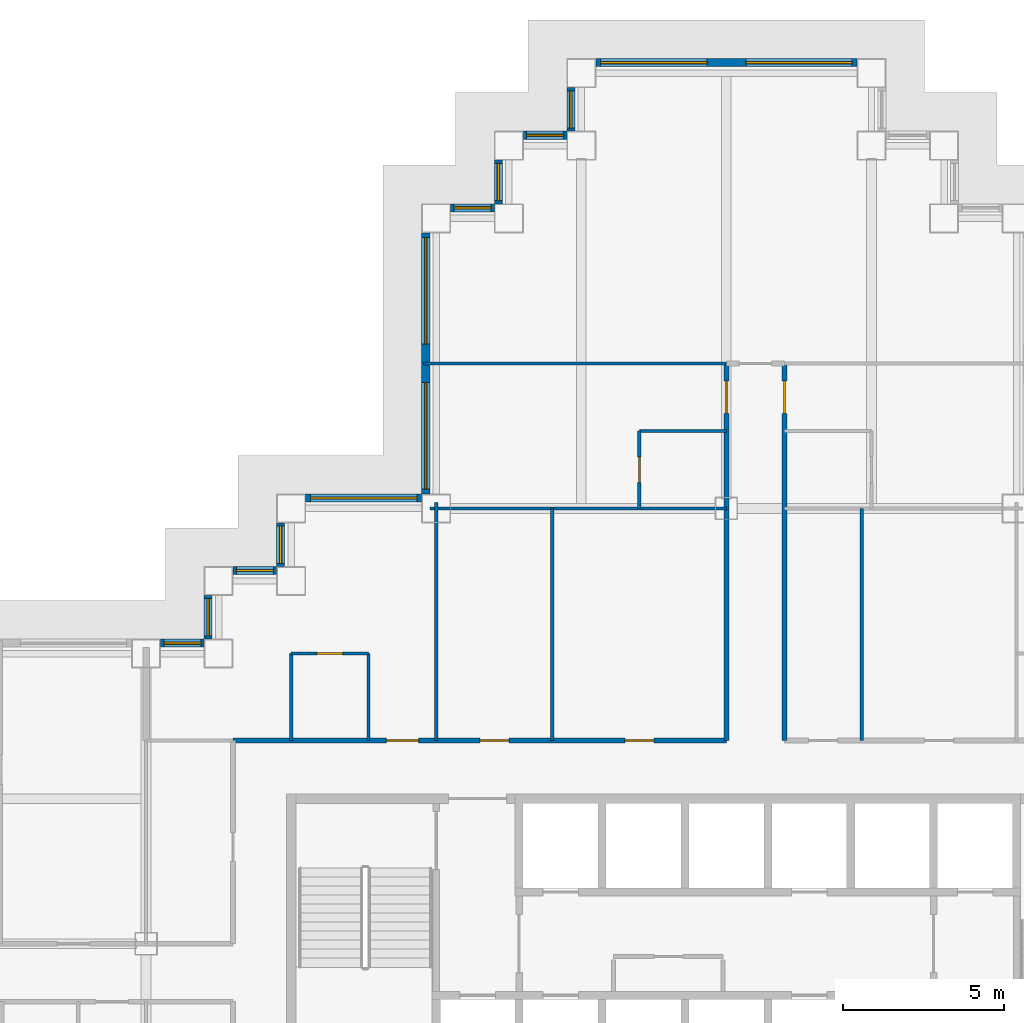
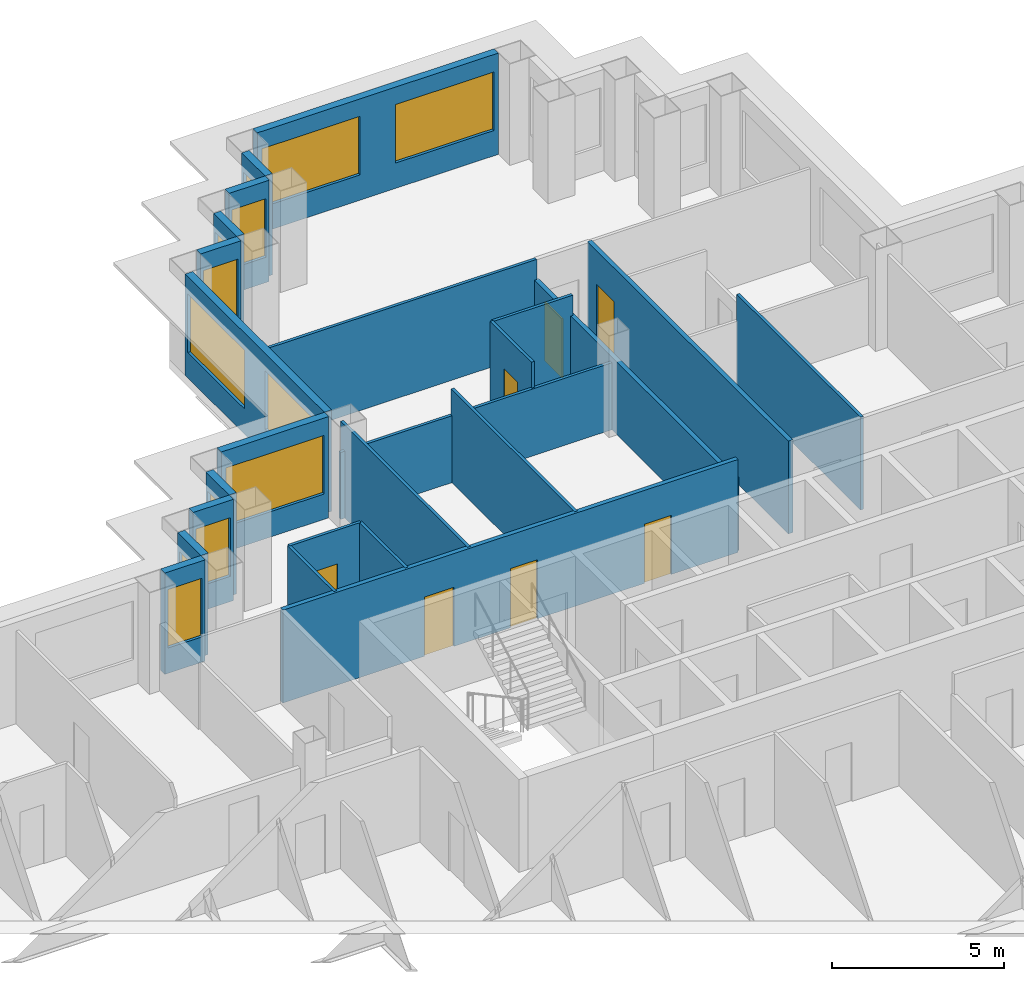
# One storey, part 8 of 15: 24 walls, 13 windows, 7 doors, 20 openings.
"""IFC4 building model written with IfcOpenShell, lengths in metres."""

from ifc_helpers import new_model, si_unit, direction, frame, frame_2d, origin, place, context, subcontext, project, spatial, rectangle, extrude, material, layer, layer_set, type_object, element, fill, save


model = new_model("IFC4")

# Units and contexts
model_context = context("Model", 3, precision=1e-05, world=origin(), true_north=direction((0.0, 1.0)))
body_context = subcontext(model_context, "Body", "Model", "MODEL_VIEW")
ifc_project = project(units=[si_unit("LENGTHUNIT", "METRE"), si_unit("AREAUNIT", "SQUARE_METRE"), si_unit("VOLUMEUNIT", "CUBIC_METRE"), si_unit("PLANEANGLEUNIT", "RADIAN"), si_unit("MASSUNIT", "GRAM", prefix="KILO")], contexts=[model_context])

# Site, building, storey
site_placement = place(None, origin())
site = spatial("IfcSite", under=ifc_project, at=site_placement, CompositionType="ELEMENT")
building_placement = place(site_placement, origin())
building = spatial("IfcBuilding", under=site, at=building_placement, Name="Caravel Reach Hotel and Residences", CompositionType="ELEMENT")
storey_placement = place(building_placement, frame((0.0, 0.0, 108.0)))
storey = spatial("IfcBuildingStorey", under=building, at=storey_placement, Name="L26", CompositionType="ELEMENT", Elevation=108.0)

# Wall, opening, door
ifc_material_1 = material(Name="Gypsum board on steel stud", Category="steel")
ifc_layer_1 = layer(ifc_material_1, 0.10009765625)
ifc_layer_set_1 = layer_set([ifc_layer_1], Name="Bathroom pod wall 100 mm")
wall_type_1 = type_object("IfcWallType", Name="Bathroom pod wall 100 mm", PredefinedType="PARTITIONING", material=ifc_layer_set_1)
wall_1_placement = place(storey_placement, frame((18.0, 36.0, 0.0), z_axis=(0.0, 0.0, 1.0), x_axis=(1.0, 0.0, 0.0)))
wall_1 = element("IfcWall", 1, at=wall_1_placement, inside=storey, type_object=wall_type_1, Name="L26 wall w092", PredefinedType="PARTITIONING", context=body_context, shape_type="SweptSolid", body=[
    extrude(rectangle(XDim=2.39990234375, YDim=0.10009765625, at=frame_2d((1.199951171875, 0.0))), origin(), (0.0, 0.0, 1.0), 3.300048828125),
])
opening_1_placement = place(wall_1_placement, frame((0.800048828125, 0.0, 0.0)))
opening_1 = element("IfcOpeningElement", 2, at=opening_1_placement, cuts=wall_1, Name="Opening D26-046", PredefinedType="OPENING", context=body_context, shape_type="SweptSolid", body=[
    extrude(rectangle(XDim=0.800048828125, YDim=2.10009765625, at=frame_2d((0.39990234375, 1.050048828125))), frame((0.0, 0.06005859375, 0.0), z_axis=(0.0, -1.0, 0.0), x_axis=(1.0, 0.0, 0.0)), (0.0, 0.0, 1.0), 0.1201171875),
])
ifc_material_2 = material(Name="Timber and steel door leaf", Category="steel")
door_type_1 = type_object("IfcDoorType", Name="Bathroom door 800 x 2100", OperationType="SINGLE_SWING_LEFT", PredefinedType="DOOR", material=ifc_material_2)
door_1_placement = place(opening_1_placement, origin())
door_1 = element("IfcDoor", 3, at=door_1_placement, inside=storey, type_object=door_type_1, Name="door D26-046", OperationType="SINGLE_SWING_RIGHT", OverallHeight=2.10009765625, OverallWidth=0.800048828125, PredefinedType="DOOR", context=body_context, shape_type="SweptSolid", body=[
    extrude(rectangle(XDim=0.800048828125, YDim=2.10009765625, at=frame_2d((0.39990234375, 1.050048828125))), frame((0.0, 0.02490234375, 0.0), z_axis=(0.0, -1.0, 0.0), x_axis=(1.0, 0.0, 0.0)), (0.0, 0.0, 1.0), 0.050048828125),
])
fill(opening_1, door_1)

# Walls
for number, where, z_axis, x_axis, name in (
    (4, (28.800048828125, 42.89990234375, 0.0), (0.0, 0.0, 1.0), (1.0, 0.0, 0.0), "L26 wall w095"),
    (5, (18.0, 33.300048828125, 0.0), (0.0, 0.0, 1.0), (0.0, 1.0, 0.0), "L26 wall w100"),
    (6, (20.39990234375, 33.300048828125, 0.0), (0.0, 0.0, 1.0), (0.0, 1.0, 0.0), "L26 wall w102"),
):
    element("IfcWall", number, at=place(storey_placement, frame(where, z_axis=z_axis, x_axis=x_axis)), inside=storey, type_object=wall_type_1, Name=name, PredefinedType="PARTITIONING", context=body_context, shape_type="SweptSolid", body=[
        extrude(rectangle(XDim=2.699951171875, YDim=0.10009765625, at=frame_2d((1.35009765625, 0.0))), origin(), (0.0, 0.0, 1.0), 3.300048828125),
    ])

# Wall, opening, door
wall_2_placement = place(storey_placement, frame((28.800048828125, 40.5, 0.0), z_axis=(0.0, 0.0, 1.0), x_axis=(0.0, 1.0, 0.0)))
wall_2 = element("IfcWall", 7, at=wall_2_placement, inside=storey, type_object=wall_type_1, Name="L26 wall w106", PredefinedType="PARTITIONING", context=body_context, shape_type="SweptSolid", body=[
    extrude(rectangle(XDim=2.39990234375, YDim=0.10009765625, at=frame_2d((1.199951171875, 0.0))), origin(), (0.0, 0.0, 1.0), 3.300048828125),
])
opening_2_placement = place(wall_2_placement, frame((0.800048828125, 0.0, 0.0)))
opening_2 = element("IfcOpeningElement", 8, at=opening_2_placement, cuts=wall_2, Name="Opening D26-029", PredefinedType="OPENING", context=body_context, shape_type="SweptSolid", body=[
    extrude(rectangle(XDim=0.800048828125, YDim=2.10009765625, at=frame_2d((0.39990234375, 1.050048828125))), frame((0.0, 0.06005859375, 0.0), z_axis=(0.0, -1.0, 0.0), x_axis=(1.0, 0.0, 0.0)), (0.0, 0.0, 1.0), 0.1201171875),
])
door_2_placement = place(opening_2_placement, origin())
door_2 = element("IfcDoor", 9, at=door_2_placement, inside=storey, type_object=door_type_1, Name="door D26-029", OperationType="SINGLE_SWING_LEFT", OverallHeight=2.10009765625, OverallWidth=0.800048828125, PredefinedType="DOOR", context=body_context, shape_type="SweptSolid", body=[
    extrude(rectangle(XDim=0.800048828125, YDim=2.10009765625, at=frame_2d((0.39990234375, 1.050048828125))), frame((0.0, 0.02490234375, 0.0), z_axis=(0.0, -1.0, 0.0), x_axis=(1.0, 0.0, 0.0)), (0.0, 0.0, 1.0), 0.050048828125),
])
fill(opening_2, door_2)

# Wall, openings, doors
ifc_material_3 = material(Name="Gypsum board on steel stud, fire-rated", Category="steel")
ifc_layer_2 = layer(ifc_material_3, 0.14990234375)
ifc_layer_set_2 = layer_set([ifc_layer_2], Name="Corridor wall 150 mm EI 60")
wall_type_2 = type_object("IfcWallType", Name="Corridor wall 150 mm EI 60", PredefinedType="PARTITIONING", material=ifc_layer_set_2)
wall_3_placement = place(storey_placement, frame((16.199951171875, 33.300048828125, 0.0), z_axis=(0.0, 0.0, 1.0), x_axis=(1.0, 0.0, 0.0)))
wall_3 = element("IfcWall", 10, at=wall_3_placement, inside=storey, type_object=wall_type_2, Name="L26 wall w018", PredefinedType="PARTITIONING", context=body_context, shape_type="SweptSolid", body=[
    extrude(rectangle(XDim=15.300048828125, YDim=0.14990234375, at=frame_2d((7.64990234375, 0.0))), origin(), (0.0, 0.0, 1.0), 3.300048828125),
])
opening_3_placement = place(wall_3_placement, frame((4.75, 0.0, 0.0)))
opening_3 = element("IfcOpeningElement", 11, at=opening_3_placement, cuts=wall_3, Name="Opening D26-045", PredefinedType="OPENING", context=body_context, shape_type="SweptSolid", body=[
    extrude(rectangle(XDim=1.0, YDim=2.10009765625, at=frame_2d((0.5, 1.050048828125))), frame((0.0, 0.0849609375, 0.0), z_axis=(0.0, -1.0, 0.0), x_axis=(1.0, 0.0, 0.0)), (0.0, 0.0, 1.0), 0.169921875),
])
opening_4_placement = place(wall_3_placement, frame((7.650146484375, 0.0, 0.0)))
opening_4 = element("IfcOpeningElement", 12, at=opening_4_placement, cuts=wall_3, Name="Opening D26-053", PredefinedType="OPENING", context=body_context, shape_type="SweptSolid", body=[
    extrude(rectangle(XDim=0.89990234375, YDim=2.10009765625, at=frame_2d((0.449951171875, 1.050048828125))), frame((0.0, 0.0849609375, 0.0), z_axis=(0.0, -1.0, 0.0), x_axis=(1.0, 0.0, 0.0)), (0.0, 0.0, 1.0), 0.169921875),
])
opening_5_placement = place(wall_3_placement, frame((12.14990234375, 0.0, 0.0)))
opening_5 = element("IfcOpeningElement", 13, at=opening_5_placement, cuts=wall_3, Name="Opening D26-054", PredefinedType="OPENING", context=body_context, shape_type="SweptSolid", body=[
    extrude(rectangle(XDim=0.89990234375, YDim=2.10009765625, at=frame_2d((0.449951171875, 1.050048828125))), frame((0.0, 0.0849609375, 0.0), z_axis=(0.0, -1.0, 0.0), x_axis=(1.0, 0.0, 0.0)), (0.0, 0.0, 1.0), 0.169921875),
])
ifc_material_4 = material(Name="Timber and steel door leaf", Category="steel")
door_type_2 = type_object("IfcDoorType", Name="Door 900 x 2100 timber", OperationType="SINGLE_SWING_LEFT", PredefinedType="DOOR", material=ifc_material_4)
door_3_placement = place(opening_4_placement, origin())
door_3 = element("IfcDoor", 14, at=door_3_placement, inside=storey, type_object=door_type_2, Name="door D26-053", OperationType="SINGLE_SWING_LEFT", OverallHeight=2.10009765625, OverallWidth=0.89990234375, PredefinedType="DOOR", context=body_context, shape_type="SweptSolid", body=[
    extrude(rectangle(XDim=0.89990234375, YDim=2.10009765625, at=frame_2d((0.449951171875, 1.050048828125))), frame((0.0, 0.02490234375, 0.0), z_axis=(0.0, -1.0, 0.0), x_axis=(1.0, 0.0, 0.0)), (0.0, 0.0, 1.0), 0.050048828125),
])
fill(opening_4, door_3)
door_4_placement = place(opening_5_placement, origin())
door_4 = element("IfcDoor", 15, at=door_4_placement, inside=storey, type_object=door_type_2, Name="door D26-054", OperationType="SINGLE_SWING_RIGHT", OverallHeight=2.10009765625, OverallWidth=0.89990234375, PredefinedType="DOOR", context=body_context, shape_type="SweptSolid", body=[
    extrude(rectangle(XDim=0.89990234375, YDim=2.10009765625, at=frame_2d((0.449951171875, 1.050048828125))), frame((0.0, 0.02490234375, 0.0), z_axis=(0.0, -1.0, 0.0), x_axis=(1.0, 0.0, 0.0)), (0.0, 0.0, 1.0), 0.050048828125),
])
fill(opening_5, door_4)
ifc_material_5 = material(Name="Steel fire door leaf", Category="steel")
door_type_3 = type_object("IfcDoorType", Name="Guest room door 1000 x 2100 EI 30", OperationType="SINGLE_SWING_LEFT", PredefinedType="DOOR", material=ifc_material_5)
door_5_placement = place(opening_3_placement, origin())
door_5 = element("IfcDoor", 16, at=door_5_placement, inside=storey, type_object=door_type_3, Name="door D26-045", OperationType="SINGLE_SWING_RIGHT", OverallHeight=2.10009765625, OverallWidth=1.0, PredefinedType="DOOR", context=body_context, shape_type="SweptSolid", body=[
    extrude(rectangle(XDim=1.0, YDim=2.10009765625, at=frame_2d((0.5, 1.050048828125))), frame((0.0, 0.02490234375, 0.0), z_axis=(0.0, -1.0, 0.0), x_axis=(1.0, 0.0, 0.0)), (0.0, 0.0, 1.0), 0.050048828125),
])
fill(opening_3, door_5)

# Wall, opening, door
wall_4_placement = place(storey_placement, frame((31.5, 33.300048828125, 0.0), z_axis=(0.0, 0.0, 1.0), x_axis=(0.0, 1.0, 0.0)))
wall_4 = element("IfcWall", 17, at=wall_4_placement, inside=storey, type_object=wall_type_2, Name="L26 wall w034", PredefinedType="PARTITIONING", context=body_context, shape_type="SweptSolid", body=[
    extrude(rectangle(XDim=11.699951171875, YDim=0.14990234375, at=frame_2d((5.85009765625, 0.0))), origin(), (0.0, 0.0, 1.0), 2.580078125),
])
opening_6_placement = place(wall_4_placement, frame((10.14990234375, 0.0, 0.0)))
opening_6 = element("IfcOpeningElement", 18, at=opening_6_placement, cuts=wall_4, Name="Opening D26-028", PredefinedType="OPENING", context=body_context, shape_type="SweptSolid", body=[
    extrude(rectangle(XDim=1.0, YDim=2.10009765625, at=frame_2d((0.5, 1.050048828125))), frame((0.0, 0.0849609375, 0.0), z_axis=(0.0, -1.0, 0.0), x_axis=(1.0, 0.0, 0.0)), (0.0, 0.0, 1.0), 0.169921875),
])
door_6_placement = place(opening_6_placement, origin())
door_6 = element("IfcDoor", 19, at=door_6_placement, inside=storey, type_object=door_type_3, Name="door D26-028", OperationType="SINGLE_SWING_RIGHT", OverallHeight=2.10009765625, OverallWidth=1.0, PredefinedType="DOOR", context=body_context, shape_type="SweptSolid", body=[
    extrude(rectangle(XDim=1.0, YDim=2.10009765625, at=frame_2d((0.5, 1.050048828125))), frame((0.0, 0.02490234375, 0.0), z_axis=(0.0, -1.0, 0.0), x_axis=(1.0, 0.0, 0.0)), (0.0, 0.0, 1.0), 0.050048828125),
])
fill(opening_6, door_6)

wall_5_placement = place(storey_placement, frame((33.300048828125, 33.300048828125, 0.0), z_axis=(0.0, 0.0, 1.0), x_axis=(0.0, 1.0, 0.0)))
wall_5 = element("IfcWall", 20, at=wall_5_placement, inside=storey, type_object=wall_type_2, Name="L26 wall w037", PredefinedType="PARTITIONING", context=body_context, shape_type="SweptSolid", body=[
    extrude(rectangle(XDim=11.699951171875, YDim=0.14990234375, at=frame_2d((5.85009765625, 0.0))), origin(), (0.0, 0.0, 1.0), 3.300048828125),
])
opening_7_placement = place(wall_5_placement, frame((10.14990234375, 0.0, 0.0)))
opening_7 = element("IfcOpeningElement", 21, at=opening_7_placement, cuts=wall_5, Name="Opening D26-030", PredefinedType="OPENING", context=body_context, shape_type="SweptSolid", body=[
    extrude(rectangle(XDim=1.0, YDim=2.10009765625, at=frame_2d((0.5, 1.050048828125))), frame((0.0, 0.0849609375, 0.0), z_axis=(0.0, -1.0, 0.0), x_axis=(1.0, 0.0, 0.0)), (0.0, 0.0, 1.0), 0.169921875),
])
door_7_placement = place(opening_7_placement, origin())
door_7 = element("IfcDoor", 22, at=door_7_placement, inside=storey, type_object=door_type_3, Name="door D26-030", OperationType="SINGLE_SWING_RIGHT", OverallHeight=2.10009765625, OverallWidth=1.0, PredefinedType="DOOR", context=body_context, shape_type="SweptSolid", body=[
    extrude(rectangle(XDim=1.0, YDim=2.10009765625, at=frame_2d((0.5, 1.050048828125))), frame((0.0, 0.02490234375, 0.0), z_axis=(0.0, -1.0, 0.0), x_axis=(1.0, 0.0, 0.0)), (0.0, 0.0, 1.0), 0.050048828125),
])
fill(opening_7, door_7)

# Wall, openings, windows
ifc_material_6 = material(Name="Insulated rainscreen wall, aluminium cladding", Category="aluminium")
ifc_layer_3 = layer(ifc_material_6, 0.25)
ifc_layer_set_3 = layer_set([ifc_layer_3], Name="EW1 Tower rainscreen wall")
wall_type_3 = type_object("IfcWallType", Name="EW1 Tower rainscreen wall", PredefinedType="SOLIDWALL", material=ifc_layer_set_3)
wall_6_placement = place(storey_placement, frame((35.550048828125, 54.324951171875, 0.0), z_axis=(0.0, 0.0, 1.0), x_axis=(-1.0, 0.0, 0.0)))
wall_6 = element("IfcWall", 23, at=wall_6_placement, inside=storey, type_object=wall_type_3, Name="External wall L26 N35.1", PredefinedType="SOLIDWALL", context=body_context, shape_type="SweptSolid", body=[
    extrude(rectangle(XDim=8.10009765625, YDim=0.25, at=frame_2d((4.050048828125, 0.0))), origin(), (0.0, 0.0, 1.0), 3.60009765625),
])
opening_8_placement = place(wall_6_placement, frame((0.14990234375, 0.0, 0.89990234375)))
opening_8 = element("IfcOpeningElement", 24, at=opening_8_placement, cuts=wall_6, Name="Opening WN4", PredefinedType="OPENING", context=body_context, shape_type="SweptSolid", body=[
    extrude(rectangle(XDim=3.300048828125, YDim=2.080078125, at=frame_2d((1.64990234375, 1.0400390625))), frame((0.0, 0.135009765625, 0.0), z_axis=(0.0, -1.0, 0.0), x_axis=(1.0, 0.0, 0.0)), (0.0, 0.0, 1.0), 0.27001953125),
])
opening_9_placement = place(wall_6_placement, frame((4.64990234375, 0.0, 0.89990234375)))
opening_9 = element("IfcOpeningElement", 25, at=opening_9_placement, cuts=wall_6, Name="Opening WN4", PredefinedType="OPENING", context=body_context, shape_type="SweptSolid", body=[
    extrude(rectangle(XDim=3.300048828125, YDim=2.080078125, at=frame_2d((1.64990234375, 1.0400390625))), frame((0.0, 0.135009765625, 0.0), z_axis=(0.0, -1.0, 0.0), x_axis=(1.0, 0.0, 0.0)), (0.0, 0.0, 1.0), 0.27001953125),
])
ifc_material_7 = material(Name="Dark low-e glazing in black aluminium frame", Category="aluminium")
window_type_1 = type_object("IfcWindowType", Name="Hotel guest room window 3300 x 2080", PartitioningType="SINGLE_PANEL", PredefinedType="WINDOW", material=ifc_material_7)
window_1_placement = place(opening_8_placement, origin())
window_1 = element("IfcWindow", 26, at=window_1_placement, inside=storey, type_object=window_type_1, Name="Window L26 N35.1.1", OverallHeight=2.080078125, OverallWidth=3.300048828125, PartitioningType="SINGLE_PANEL", PredefinedType="WINDOW", context=body_context, shape_type="SweptSolid", body=[
    extrude(rectangle(XDim=3.300048828125, YDim=2.080078125, at=frame_2d((1.64990234375, 1.0400390625))), frame((0.0, 0.030029296875, 0.0), z_axis=(0.0, -1.0, 0.0), x_axis=(1.0, 0.0, 0.0)), (0.0, 0.0, 1.0), 0.06005859375),
])
fill(opening_8, window_1)
window_2_placement = place(opening_9_placement, origin())
window_2 = element("IfcWindow", 27, at=window_2_placement, inside=storey, type_object=window_type_1, Name="Window L26 N35.1.2", OverallHeight=2.080078125, OverallWidth=3.300048828125, PartitioningType="SINGLE_PANEL", PredefinedType="WINDOW", context=body_context, shape_type="SweptSolid", body=[
    extrude(rectangle(XDim=3.300048828125, YDim=2.080078125, at=frame_2d((1.64990234375, 1.0400390625))), frame((0.0, 0.030029296875, 0.0), z_axis=(0.0, -1.0, 0.0), x_axis=(1.0, 0.0, 0.0)), (0.0, 0.0, 1.0), 0.06005859375),
])
fill(opening_9, window_2)

# Wall, opening, window
wall_7_placement = place(storey_placement, frame((26.675048828125, 53.550048828125, 0.0), z_axis=(0.0, 0.0, 1.0), x_axis=(0.0, -1.0, 0.0)))
wall_7 = element("IfcWall", 28, at=wall_7_placement, inside=storey, type_object=wall_type_3, Name="External wall L26 W36.1", PredefinedType="SOLIDWALL", context=body_context, shape_type="SweptSolid", body=[
    extrude(rectangle(XDim=1.35009765625, YDim=0.25, at=frame_2d((0.675048828125, 0.0))), origin(), (0.0, 0.0, 1.0), 3.60009765625),
])
opening_10_placement = place(wall_7_placement, frame((0.10009765625, 0.0, 0.89990234375)))
opening_10 = element("IfcOpeningElement", 29, at=opening_10_placement, cuts=wall_7, Name="Opening WN8", PredefinedType="OPENING", context=body_context, shape_type="SweptSolid", body=[
    extrude(rectangle(XDim=1.14990234375, YDim=2.080078125, at=frame_2d((0.574951171875, 1.0400390625))), frame((0.0, 0.135009765625, 0.0), z_axis=(0.0, -1.0, 0.0), x_axis=(1.0, 0.0, 0.0)), (0.0, 0.0, 1.0), 0.27001953125),
])
ifc_material_8 = material(Name="Dark low-e glazing in black aluminium frame", Category="aluminium")
window_type_2 = type_object("IfcWindowType", Name="Hotel suite corner window 1150 x 2080", PartitioningType="SINGLE_PANEL", PredefinedType="WINDOW", material=ifc_material_8)
window_3_placement = place(opening_10_placement, origin())
window_3 = element("IfcWindow", 30, at=window_3_placement, inside=storey, type_object=window_type_2, Name="Window L26 W36.1.1", OverallHeight=2.080078125, OverallWidth=1.14990234375, PartitioningType="SINGLE_PANEL", PredefinedType="WINDOW", context=body_context, shape_type="SweptSolid", body=[
    extrude(rectangle(XDim=1.14990234375, YDim=2.080078125, at=frame_2d((0.574951171875, 1.0400390625))), frame((0.0, 0.030029296875, 0.0), z_axis=(0.0, -1.0, 0.0), x_axis=(1.0, 0.0, 0.0)), (0.0, 0.0, 1.0), 0.06005859375),
])
fill(opening_10, window_3)

wall_8_placement = place(storey_placement, frame((26.550048828125, 52.074951171875, 0.0), z_axis=(0.0, 0.0, 1.0), x_axis=(-1.0, 0.0, 0.0)))
wall_8 = element("IfcWall", 31, at=wall_8_placement, inside=storey, type_object=wall_type_3, Name="External wall L26 N37.1", PredefinedType="SOLIDWALL", context=body_context, shape_type="SweptSolid", body=[
    extrude(rectangle(XDim=1.35009765625, YDim=0.25, at=frame_2d((0.675048828125, 0.0))), origin(), (0.0, 0.0, 1.0), 3.60009765625),
])
opening_11_placement = place(wall_8_placement, frame((0.10009765625, 0.0, 0.89990234375)))
opening_11 = element("IfcOpeningElement", 32, at=opening_11_placement, cuts=wall_8, Name="Opening WN8", PredefinedType="OPENING", context=body_context, shape_type="SweptSolid", body=[
    extrude(rectangle(XDim=1.14990234375, YDim=2.080078125, at=frame_2d((0.574951171875, 1.0400390625))), frame((0.0, 0.135009765625, 0.0), z_axis=(0.0, -1.0, 0.0), x_axis=(1.0, 0.0, 0.0)), (0.0, 0.0, 1.0), 0.27001953125),
])
window_4_placement = place(opening_11_placement, origin())
window_4 = element("IfcWindow", 33, at=window_4_placement, inside=storey, type_object=window_type_2, Name="Window L26 N37.1.1", OverallHeight=2.080078125, OverallWidth=1.14990234375, PartitioningType="SINGLE_PANEL", PredefinedType="WINDOW", context=body_context, shape_type="SweptSolid", body=[
    extrude(rectangle(XDim=1.14990234375, YDim=2.080078125, at=frame_2d((0.574951171875, 1.0400390625))), frame((0.0, 0.030029296875, 0.0), z_axis=(0.0, -1.0, 0.0), x_axis=(1.0, 0.0, 0.0)), (0.0, 0.0, 1.0), 0.06005859375),
])
fill(opening_11, window_4)

wall_9_placement = place(storey_placement, frame((24.425048828125, 51.300048828125, 0.0), z_axis=(0.0, 0.0, 1.0), x_axis=(0.0, -1.0, 0.0)))
wall_9 = element("IfcWall", 34, at=wall_9_placement, inside=storey, type_object=wall_type_3, Name="External wall L26 W38.1", PredefinedType="SOLIDWALL", context=body_context, shape_type="SweptSolid", body=[
    extrude(rectangle(XDim=1.35009765625, YDim=0.25, at=frame_2d((0.675048828125, 0.0))), origin(), (0.0, 0.0, 1.0), 3.60009765625),
])
opening_12_placement = place(wall_9_placement, frame((0.10009765625, 0.0, 0.89990234375)))
opening_12 = element("IfcOpeningElement", 35, at=opening_12_placement, cuts=wall_9, Name="Opening WN8", PredefinedType="OPENING", context=body_context, shape_type="SweptSolid", body=[
    extrude(rectangle(XDim=1.14990234375, YDim=2.080078125, at=frame_2d((0.574951171875, 1.0400390625))), frame((0.0, 0.135009765625, 0.0), z_axis=(0.0, -1.0, 0.0), x_axis=(1.0, 0.0, 0.0)), (0.0, 0.0, 1.0), 0.27001953125),
])
window_5_placement = place(opening_12_placement, origin())
window_5 = element("IfcWindow", 36, at=window_5_placement, inside=storey, type_object=window_type_2, Name="Window L26 W38.1.1", OverallHeight=2.080078125, OverallWidth=1.14990234375, PartitioningType="SINGLE_PANEL", PredefinedType="WINDOW", context=body_context, shape_type="SweptSolid", body=[
    extrude(rectangle(XDim=1.14990234375, YDim=2.080078125, at=frame_2d((0.574951171875, 1.0400390625))), frame((0.0, 0.030029296875, 0.0), z_axis=(0.0, -1.0, 0.0), x_axis=(1.0, 0.0, 0.0)), (0.0, 0.0, 1.0), 0.06005859375),
])
fill(opening_12, window_5)

wall_10_placement = place(storey_placement, frame((24.300048828125, 49.824951171875, 0.0), z_axis=(0.0, 0.0, 1.0), x_axis=(-1.0, 0.0, 0.0)))
wall_10 = element("IfcWall", 37, at=wall_10_placement, inside=storey, type_object=wall_type_3, Name="External wall L26 N39.1", PredefinedType="SOLIDWALL", context=body_context, shape_type="SweptSolid", body=[
    extrude(rectangle(XDim=1.35009765625, YDim=0.25, at=frame_2d((0.675048828125, 0.0))), origin(), (0.0, 0.0, 1.0), 3.60009765625),
])
opening_13_placement = place(wall_10_placement, frame((0.10009765625, 0.0, 0.89990234375)))
opening_13 = element("IfcOpeningElement", 38, at=opening_13_placement, cuts=wall_10, Name="Opening WN8", PredefinedType="OPENING", context=body_context, shape_type="SweptSolid", body=[
    extrude(rectangle(XDim=1.14990234375, YDim=2.080078125, at=frame_2d((0.574951171875, 1.0400390625))), frame((0.0, 0.135009765625, 0.0), z_axis=(0.0, -1.0, 0.0), x_axis=(1.0, 0.0, 0.0)), (0.0, 0.0, 1.0), 0.27001953125),
])
window_6_placement = place(opening_13_placement, origin())
window_6 = element("IfcWindow", 39, at=window_6_placement, inside=storey, type_object=window_type_2, Name="Window L26 N39.1.1", OverallHeight=2.080078125, OverallWidth=1.14990234375, PartitioningType="SINGLE_PANEL", PredefinedType="WINDOW", context=body_context, shape_type="SweptSolid", body=[
    extrude(rectangle(XDim=1.14990234375, YDim=2.080078125, at=frame_2d((0.574951171875, 1.0400390625))), frame((0.0, 0.030029296875, 0.0), z_axis=(0.0, -1.0, 0.0), x_axis=(1.0, 0.0, 0.0)), (0.0, 0.0, 1.0), 0.06005859375),
])
fill(opening_13, window_6)

# Wall, openings, windows
wall_11_placement = place(storey_placement, frame((22.175048828125, 49.050048828125, 0.0), z_axis=(0.0, 0.0, 1.0), x_axis=(0.0, -1.0, 0.0)))
wall_11 = element("IfcWall", 40, at=wall_11_placement, inside=storey, type_object=wall_type_3, Name="External wall L26 W40.1", PredefinedType="SOLIDWALL", context=body_context, shape_type="SweptSolid", body=[
    extrude(rectangle(XDim=8.10009765625, YDim=0.25, at=frame_2d((4.050048828125, 0.0))), origin(), (0.0, 0.0, 1.0), 3.60009765625),
])
opening_14_placement = place(wall_11_placement, frame((0.14990234375, 0.0, 0.89990234375)))
opening_14 = element("IfcOpeningElement", 41, at=opening_14_placement, cuts=wall_11, Name="Opening WN4", PredefinedType="OPENING", context=body_context, shape_type="SweptSolid", body=[
    extrude(rectangle(XDim=3.300048828125, YDim=2.080078125, at=frame_2d((1.64990234375, 1.0400390625))), frame((0.0, 0.135009765625, 0.0), z_axis=(0.0, -1.0, 0.0), x_axis=(1.0, 0.0, 0.0)), (0.0, 0.0, 1.0), 0.27001953125),
])
opening_15_placement = place(wall_11_placement, frame((4.64990234375, 0.0, 0.89990234375)))
opening_15 = element("IfcOpeningElement", 42, at=opening_15_placement, cuts=wall_11, Name="Opening WN4", PredefinedType="OPENING", context=body_context, shape_type="SweptSolid", body=[
    extrude(rectangle(XDim=3.300048828125, YDim=2.080078125, at=frame_2d((1.64990234375, 1.0400390625))), frame((0.0, 0.135009765625, 0.0), z_axis=(0.0, -1.0, 0.0), x_axis=(1.0, 0.0, 0.0)), (0.0, 0.0, 1.0), 0.27001953125),
])
window_7_placement = place(opening_14_placement, origin())
window_7 = element("IfcWindow", 43, at=window_7_placement, inside=storey, type_object=window_type_1, Name="Window L26 W40.1.1", OverallHeight=2.080078125, OverallWidth=3.300048828125, PartitioningType="SINGLE_PANEL", PredefinedType="WINDOW", context=body_context, shape_type="SweptSolid", body=[
    extrude(rectangle(XDim=3.300048828125, YDim=2.080078125, at=frame_2d((1.64990234375, 1.0400390625))), frame((0.0, 0.030029296875, 0.0), z_axis=(0.0, -1.0, 0.0), x_axis=(1.0, 0.0, 0.0)), (0.0, 0.0, 1.0), 0.06005859375),
])
fill(opening_14, window_7)
window_8_placement = place(opening_15_placement, origin())
window_8 = element("IfcWindow", 44, at=window_8_placement, inside=storey, type_object=window_type_1, Name="Window L26 W40.1.2", OverallHeight=2.080078125, OverallWidth=3.300048828125, PartitioningType="SINGLE_PANEL", PredefinedType="WINDOW", context=body_context, shape_type="SweptSolid", body=[
    extrude(rectangle(XDim=3.300048828125, YDim=2.080078125, at=frame_2d((1.64990234375, 1.0400390625))), frame((0.0, 0.030029296875, 0.0), z_axis=(0.0, -1.0, 0.0), x_axis=(1.0, 0.0, 0.0)), (0.0, 0.0, 1.0), 0.06005859375),
])
fill(opening_15, window_8)

# Wall, opening, window
wall_12_placement = place(storey_placement, frame((22.050048828125, 40.824951171875, 0.0), z_axis=(0.0, 0.0, 1.0), x_axis=(-1.0, 0.0, 0.0)))
wall_12 = element("IfcWall", 45, at=wall_12_placement, inside=storey, type_object=wall_type_3, Name="External wall L26 N41.1", PredefinedType="SOLIDWALL", context=body_context, shape_type="SweptSolid", body=[
    extrude(rectangle(XDim=3.60009765625, YDim=0.25, at=frame_2d((1.800048828125, 0.0))), origin(), (0.0, 0.0, 1.0), 3.60009765625),
])
opening_16_placement = place(wall_12_placement, frame((0.14990234375, 0.0, 0.89990234375)))
opening_16 = element("IfcOpeningElement", 46, at=opening_16_placement, cuts=wall_12, Name="Opening WN4", PredefinedType="OPENING", context=body_context, shape_type="SweptSolid", body=[
    extrude(rectangle(XDim=3.300048828125, YDim=2.080078125, at=frame_2d((1.64990234375, 1.0400390625))), frame((0.0, 0.135009765625, 0.0), z_axis=(0.0, -1.0, 0.0), x_axis=(1.0, 0.0, 0.0)), (0.0, 0.0, 1.0), 0.27001953125),
])
window_9_placement = place(opening_16_placement, origin())
window_9 = element("IfcWindow", 47, at=window_9_placement, inside=storey, type_object=window_type_1, Name="Window L26 N41.1.1", OverallHeight=2.080078125, OverallWidth=3.300048828125, PartitioningType="SINGLE_PANEL", PredefinedType="WINDOW", context=body_context, shape_type="SweptSolid", body=[
    extrude(rectangle(XDim=3.300048828125, YDim=2.080078125, at=frame_2d((1.64990234375, 1.0400390625))), frame((0.0, 0.030029296875, 0.0), z_axis=(0.0, -1.0, 0.0), x_axis=(1.0, 0.0, 0.0)), (0.0, 0.0, 1.0), 0.06005859375),
])
fill(opening_16, window_9)

wall_13_placement = place(storey_placement, frame((17.675048828125, 40.050048828125, 0.0), z_axis=(0.0, 0.0, 1.0), x_axis=(0.0, -1.0, 0.0)))
wall_13 = element("IfcWall", 48, at=wall_13_placement, inside=storey, type_object=wall_type_3, Name="External wall L26 W42.1", PredefinedType="SOLIDWALL", context=body_context, shape_type="SweptSolid", body=[
    extrude(rectangle(XDim=1.35009765625, YDim=0.25, at=frame_2d((0.675048828125, 0.0))), origin(), (0.0, 0.0, 1.0), 3.60009765625),
])
opening_17_placement = place(wall_13_placement, frame((0.10009765625, 0.0, 0.89990234375)))
opening_17 = element("IfcOpeningElement", 49, at=opening_17_placement, cuts=wall_13, Name="Opening WN8", PredefinedType="OPENING", context=body_context, shape_type="SweptSolid", body=[
    extrude(rectangle(XDim=1.14990234375, YDim=2.080078125, at=frame_2d((0.574951171875, 1.0400390625))), frame((0.0, 0.135009765625, 0.0), z_axis=(0.0, -1.0, 0.0), x_axis=(1.0, 0.0, 0.0)), (0.0, 0.0, 1.0), 0.27001953125),
])
window_10_placement = place(opening_17_placement, origin())
window_10 = element("IfcWindow", 50, at=window_10_placement, inside=storey, type_object=window_type_2, Name="Window L26 W42.1.1", OverallHeight=2.080078125, OverallWidth=1.14990234375, PartitioningType="SINGLE_PANEL", PredefinedType="WINDOW", context=body_context, shape_type="SweptSolid", body=[
    extrude(rectangle(XDim=1.14990234375, YDim=2.080078125, at=frame_2d((0.574951171875, 1.0400390625))), frame((0.0, 0.030029296875, 0.0), z_axis=(0.0, -1.0, 0.0), x_axis=(1.0, 0.0, 0.0)), (0.0, 0.0, 1.0), 0.06005859375),
])
fill(opening_17, window_10)

wall_14_placement = place(storey_placement, frame((17.550048828125, 38.574951171875, 0.0), z_axis=(0.0, 0.0, 1.0), x_axis=(-1.0, 0.0, 0.0)))
wall_14 = element("IfcWall", 51, at=wall_14_placement, inside=storey, type_object=wall_type_3, Name="External wall L26 N43.1", PredefinedType="SOLIDWALL", context=body_context, shape_type="SweptSolid", body=[
    extrude(rectangle(XDim=1.35009765625, YDim=0.25, at=frame_2d((0.675048828125, 0.0))), origin(), (0.0, 0.0, 1.0), 3.60009765625),
])
opening_18_placement = place(wall_14_placement, frame((0.10009765625, 0.0, 0.89990234375)))
opening_18 = element("IfcOpeningElement", 52, at=opening_18_placement, cuts=wall_14, Name="Opening WN8", PredefinedType="OPENING", context=body_context, shape_type="SweptSolid", body=[
    extrude(rectangle(XDim=1.14990234375, YDim=2.080078125, at=frame_2d((0.574951171875, 1.0400390625))), frame((0.0, 0.135009765625, 0.0), z_axis=(0.0, -1.0, 0.0), x_axis=(1.0, 0.0, 0.0)), (0.0, 0.0, 1.0), 0.27001953125),
])
window_11_placement = place(opening_18_placement, origin())
window_11 = element("IfcWindow", 53, at=window_11_placement, inside=storey, type_object=window_type_2, Name="Window L26 N43.1.1", OverallHeight=2.080078125, OverallWidth=1.14990234375, PartitioningType="SINGLE_PANEL", PredefinedType="WINDOW", context=body_context, shape_type="SweptSolid", body=[
    extrude(rectangle(XDim=1.14990234375, YDim=2.080078125, at=frame_2d((0.574951171875, 1.0400390625))), frame((0.0, 0.030029296875, 0.0), z_axis=(0.0, -1.0, 0.0), x_axis=(1.0, 0.0, 0.0)), (0.0, 0.0, 1.0), 0.06005859375),
])
fill(opening_18, window_11)

wall_15_placement = place(storey_placement, frame((15.425048828125, 37.800048828125, 0.0), z_axis=(0.0, 0.0, 1.0), x_axis=(0.0, -1.0, 0.0)))
wall_15 = element("IfcWall", 54, at=wall_15_placement, inside=storey, type_object=wall_type_3, Name="External wall L26 W44.1", PredefinedType="SOLIDWALL", context=body_context, shape_type="SweptSolid", body=[
    extrude(rectangle(XDim=1.35009765625, YDim=0.25, at=frame_2d((0.675048828125, 0.0))), origin(), (0.0, 0.0, 1.0), 3.60009765625),
])
opening_19_placement = place(wall_15_placement, frame((0.10009765625, 0.0, 0.89990234375)))
opening_19 = element("IfcOpeningElement", 55, at=opening_19_placement, cuts=wall_15, Name="Opening WN8", PredefinedType="OPENING", context=body_context, shape_type="SweptSolid", body=[
    extrude(rectangle(XDim=1.14990234375, YDim=2.080078125, at=frame_2d((0.574951171875, 1.0400390625))), frame((0.0, 0.135009765625, 0.0), z_axis=(0.0, -1.0, 0.0), x_axis=(1.0, 0.0, 0.0)), (0.0, 0.0, 1.0), 0.27001953125),
])
window_12_placement = place(opening_19_placement, origin())
window_12 = element("IfcWindow", 56, at=window_12_placement, inside=storey, type_object=window_type_2, Name="Window L26 W44.1.1", OverallHeight=2.080078125, OverallWidth=1.14990234375, PartitioningType="SINGLE_PANEL", PredefinedType="WINDOW", context=body_context, shape_type="SweptSolid", body=[
    extrude(rectangle(XDim=1.14990234375, YDim=2.080078125, at=frame_2d((0.574951171875, 1.0400390625))), frame((0.0, 0.030029296875, 0.0), z_axis=(0.0, -1.0, 0.0), x_axis=(1.0, 0.0, 0.0)), (0.0, 0.0, 1.0), 0.06005859375),
])
fill(opening_19, window_12)

wall_16_placement = place(storey_placement, frame((15.300048828125, 36.324951171875, 0.0), z_axis=(0.0, 0.0, 1.0), x_axis=(-1.0, 0.0, 0.0)))
wall_16 = element("IfcWall", 57, at=wall_16_placement, inside=storey, type_object=wall_type_3, Name="External wall L26 N45.1", PredefinedType="SOLIDWALL", context=body_context, shape_type="SweptSolid", body=[
    extrude(rectangle(XDim=1.35009765625, YDim=0.25, at=frame_2d((0.675048828125, 0.0))), origin(), (0.0, 0.0, 1.0), 3.60009765625),
])
opening_20_placement = place(wall_16_placement, frame((0.10009765625, 0.0, 0.89990234375)))
opening_20 = element("IfcOpeningElement", 58, at=opening_20_placement, cuts=wall_16, Name="Opening WN8", PredefinedType="OPENING", context=body_context, shape_type="SweptSolid", body=[
    extrude(rectangle(XDim=1.14990234375, YDim=2.080078125, at=frame_2d((0.574951171875, 1.0400390625))), frame((0.0, 0.135009765625, 0.0), z_axis=(0.0, -1.0, 0.0), x_axis=(1.0, 0.0, 0.0)), (0.0, 0.0, 1.0), 0.27001953125),
])
window_13_placement = place(opening_20_placement, origin())
window_13 = element("IfcWindow", 59, at=window_13_placement, inside=storey, type_object=window_type_2, Name="Window L26 N45.1.1", OverallHeight=2.080078125, OverallWidth=1.14990234375, PartitioningType="SINGLE_PANEL", PredefinedType="WINDOW", context=body_context, shape_type="SweptSolid", body=[
    extrude(rectangle(XDim=1.14990234375, YDim=2.080078125, at=frame_2d((0.574951171875, 1.0400390625))), frame((0.0, 0.030029296875, 0.0), z_axis=(0.0, -1.0, 0.0), x_axis=(1.0, 0.0, 0.0)), (0.0, 0.0, 1.0), 0.06005859375),
])
fill(opening_20, window_13)

# Walls
ifc_material_9 = material(Name="Gypsum board on steel stud", Category="steel")
ifc_layer_4 = layer(ifc_material_9, 0.10009765625)
ifc_layer_set_4 = layer_set([ifc_layer_4], Name="Partition 100 mm")
wall_type_4 = type_object("IfcWallType", Name="Partition 100 mm", PredefinedType="PARTITIONING", material=ifc_layer_set_4)
wall_17_placement = place(storey_placement, frame((22.31005859375, 40.5, 0.0), z_axis=(0.0, 0.0, 1.0), x_axis=(1.0, 0.0, 0.0)))
element("IfcWall", 60, at=wall_17_placement, inside=storey, type_object=wall_type_4, Name="L26 wall w051", PredefinedType="PARTITIONING", context=body_context, shape_type="SweptSolid", body=[
    extrude(rectangle(XDim=9.18994140625, YDim=0.10009765625, at=frame_2d((4.594970703125, 0.0))), origin(), (0.0, 0.0, 1.0), 2.3798828125),
])
wall_18_placement = place(storey_placement, frame((22.110107421875, 45.0, 0.0), z_axis=(0.0, 0.0, 1.0), x_axis=(1.0, 0.0, 0.0)))
element("IfcWall", 61, at=wall_18_placement, inside=storey, type_object=wall_type_4, Name="L26 wall w054", PredefinedType="PARTITIONING", context=body_context, shape_type="SweptSolid", body=[
    extrude(rectangle(XDim=9.389892578125, YDim=0.10009765625, at=frame_2d((4.69482421875, 0.0))), origin(), (0.0, 0.0, 1.0), 3.300048828125),
])
wall_19_placement = place(storey_placement, frame((22.5, 33.300048828125, 0.0), z_axis=(0.0, 0.0, 1.0), x_axis=(0.0, 1.0, 0.0)))
element("IfcWall", 62, at=wall_19_placement, inside=storey, type_object=wall_type_4, Name="L26 wall w058", PredefinedType="PARTITIONING", context=body_context, shape_type="SweptSolid", body=[
    extrude(rectangle(XDim=7.389892578125, YDim=0.10009765625, at=frame_2d((3.69482421875, 0.0))), origin(), (0.0, 0.0, 1.0), 3.300048828125),
])
for number, where, z_axis, x_axis, name in (
    (63, (26.10009765625, 33.300048828125, 0.0), (0.0, 0.0, 1.0), (0.0, 1.0, 0.0), "L26 wall w061"),
    (64, (35.699951171875, 33.300048828125, 0.0), (0.0, 0.0, 1.0), (0.0, 1.0, 0.0), "L26 wall w062"),
):
    element("IfcWall", number, at=place(storey_placement, frame(where, z_axis=z_axis, x_axis=x_axis)), inside=storey, type_object=wall_type_4, Name=name, PredefinedType="PARTITIONING", context=body_context, shape_type="SweptSolid", body=[
        extrude(rectangle(XDim=7.199951171875, YDim=0.10009765625, at=frame_2d((3.60009765625, 0.0))), origin(), (0.0, 0.0, 1.0), 3.300048828125),
    ])

save(model, "model.ifc")
